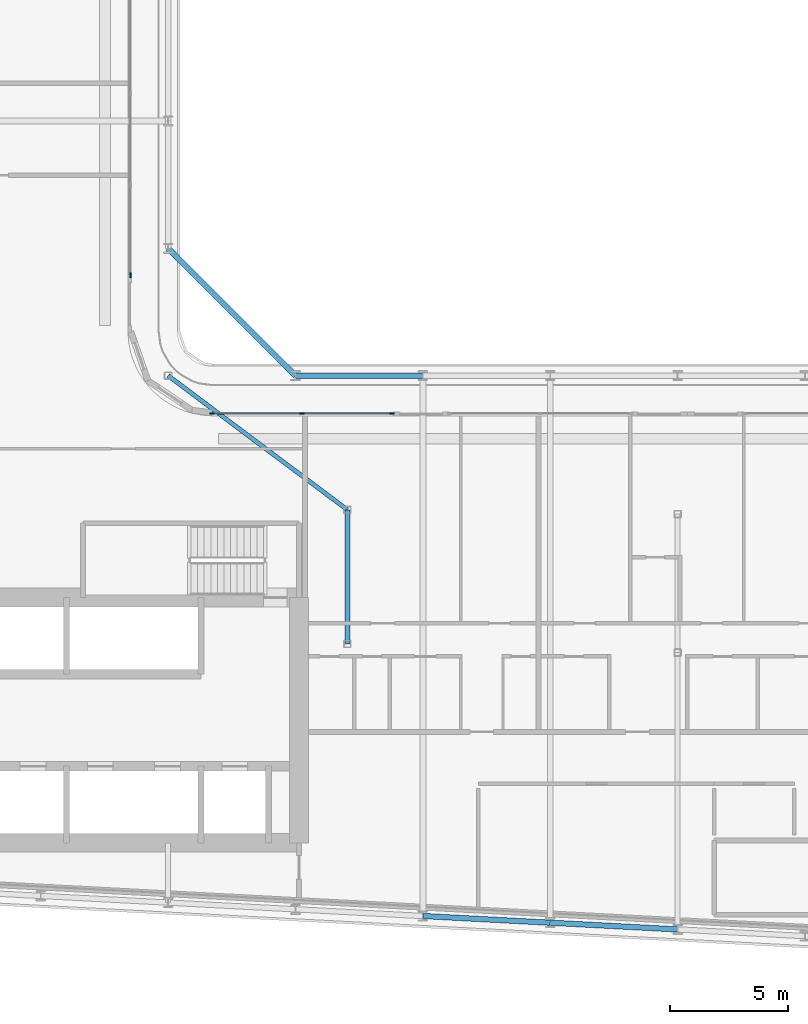
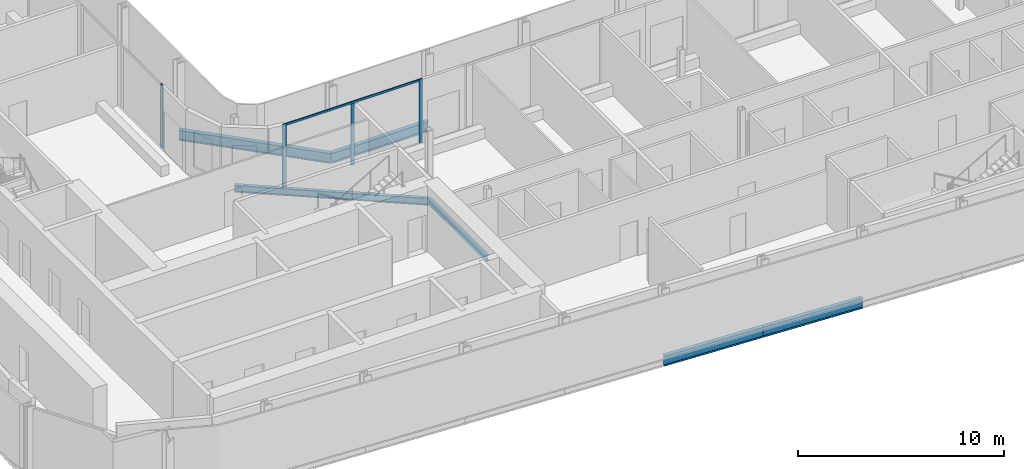
# One storey, part 6 of 29: 6 beams, 5 members, 2 elements without a shape of their own.
"""IFC4 building model written with IfcOpenShell, lengths in metres."""

from ifc_helpers import new_model, si_unit, direction, frame, origin, origin_2d, place, context, subcontext, project, spatial, rectangle, i_section, extrude, material, layer, layer_set, material_profile, profile_set, type_object, element, aggregate, save


model = new_model("IFC4")

# Units and contexts
model_context = context("Model", 3, precision=1e-05, world=origin(), true_north=direction((0.0, 1.0)))
body_context = subcontext(model_context, "Body", "Model", "MODEL_VIEW")
ifc_project = project(units=[si_unit("LENGTHUNIT", "METRE"), si_unit("AREAUNIT", "SQUARE_METRE"), si_unit("VOLUMEUNIT", "CUBIC_METRE"), si_unit("PLANEANGLEUNIT", "RADIAN"), si_unit("MASSUNIT", "GRAM", prefix="KILO")], contexts=[model_context])

# Site, building, storey
site_placement = place(None, origin())
site = spatial("IfcSite", under=ifc_project, at=site_placement, CompositionType="ELEMENT")
building_placement = place(site_placement, origin())
building = spatial("IfcBuilding", under=site, at=building_placement, Name="Kheshtan School and Residences Tower", CompositionType="ELEMENT")
storey_placement = place(building_placement, frame((0.0, 0.0, 179.89990234375)))
storey = spatial("IfcBuildingStorey", under=building, at=storey_placement, Name="L42", CompositionType="ELEMENT", Elevation=179.89990234375)

# Beams
ifc_material_1 = material(Name="Steel ASTM A992 Grade 50", Category="steel")
ifc_material_profile_1 = material_profile(ifc_material_1, i_section(OverallWidth=0.202880859375, OverallDepth=0.302978515625, WebThickness=0.007568359375, FlangeThickness=0.01318359375, FilletRadius=0.009033203125, at=origin_2d()), Name="W310x60")
ifc_profile_set_1 = profile_set([ifc_material_profile_1], Name="Steel ASTM A992 Grade 50")
beam_type_1 = type_object("IfcBeamType", Name="Beam FB1 W310x60 ASTM A992 Grade 50", PredefinedType="BEAM", material=ifc_profile_set_1)
beam_1_placement = place(storey_placement, frame((55.199951171875, 34.23193359375, -0.301513671875), z_axis=(0.0, 1.0, 0.0), x_axis=(-1.0, 0.0, 0.0)))
element("IfcBeam", 1, at=beam_1_placement, inside=storey, type_object=beam_type_1, Name="Floor beam IC", PredefinedType="BEAM", context=body_context, shape_type="SweptSolid", body=[
    extrude(i_section(OverallWidth=0.202880859375, OverallDepth=0.302978515625, WebThickness=0.007568359375, FlangeThickness=0.01318359375, FilletRadius=0.009033203125, at=origin_2d()), origin(), (0.0, 0.0, 1.0), 5.68408203125),
])
ifc_material_profile_2 = material_profile(ifc_material_1, i_section(OverallWidth=0.180908203125, OverallDepth=0.4169921875, WebThickness=0.010986328125, FlangeThickness=0.018310546875, FilletRadius=0.012451171875, at=origin_2d()), Name="W410x85")
ifc_profile_set_2 = profile_set([ifc_material_profile_2], Name="Steel ASTM A992 Grade 50")
beam_type_2 = type_object("IfcBeamType", Name="Beam FB3 W410x85 ASTM A992 Grade 50", PredefinedType="BEAM", material=ifc_profile_set_2)
beam_2_placement = place(storey_placement, frame((47.60009765625, 45.60009765625, -0.3583984375), z_axis=(0.800798828004, -0.598933416222, 0.0), x_axis=(0.598933416222, 0.800798828004, 0.0)))
element("IfcBeam", 2, at=beam_2_placement, inside=storey, type_object=beam_type_2, Name="Floor beam IC", PredefinedType="BEAM", context=body_context, shape_type="SweptSolid", body=[
    extrude(i_section(OverallWidth=0.180908203125, OverallDepth=0.4169921875, WebThickness=0.010986328125, FlangeThickness=0.018310546875, FilletRadius=0.012451171875, at=origin_2d()), origin(), (0.0, 0.0, 1.0), 9.490234375),
])
ifc_material_profile_3 = material_profile(ifc_material_1, i_section(OverallWidth=0.22802734375, OverallDepth=0.60302734375, WebThickness=0.010498046875, FlangeThickness=0.014892578125, FilletRadius=0.013427734375, at=origin_2d()), Name="W610x101")
ifc_profile_set_3 = profile_set([ifc_material_profile_3], Name="Steel ASTM A992 Grade 50")
beam_type_3 = type_object("IfcBeamType", Name="Beam SP2 W610x101 ASTM A992 Grade 50", PredefinedType="BEAM", material=ifc_profile_set_3)
beam_3_placement = place(storey_placement, frame((47.60009765625, 51.0, -0.451416015625), z_axis=(0.707106781187, -0.707106781187, 0.0), x_axis=(0.707106781187, 0.707106781187, 0.0)))
element("IfcBeam", 3, at=beam_3_placement, inside=storey, type_object=beam_type_3, Name="Spandrel beam C079-C061", PredefinedType="BEAM", context=body_context, shape_type="SweptSolid", body=[
    extrude(i_section(OverallWidth=0.22802734375, OverallDepth=0.60302734375, WebThickness=0.010498046875, FlangeThickness=0.014892578125, FilletRadius=0.013427734375, at=origin_2d()), origin(), (0.0, 0.0, 1.0), 7.63671875),
])
beam_4_placement = place(storey_placement, frame((53.0, 45.60009765625, -0.451416015625), z_axis=(1.0, 0.0, 0.0), x_axis=(0.0, 1.0, 0.0)))
element("IfcBeam", 4, at=beam_4_placement, inside=storey, type_object=beam_type_3, Name="Spandrel beam C061-C062", PredefinedType="BEAM", context=body_context, shape_type="SweptSolid", body=[
    extrude(i_section(OverallWidth=0.22802734375, OverallDepth=0.60302734375, WebThickness=0.010498046875, FlangeThickness=0.014892578125, FilletRadius=0.013427734375, at=origin_2d()), origin(), (0.0, 0.0, 1.0), 5.39990234375),
])
beam_5_placement = place(storey_placement, frame((69.199951171875, 22.126953125, -0.451416015625), z_axis=(-0.998620447272, 0.05250906864, 0.0), x_axis=(-0.05250906864, -0.998620447272, 0.0)))
element("IfcBeam", 5, at=beam_5_placement, inside=storey, type_object=beam_type_3, Name="Spandrel beam C014-C016", PredefinedType="BEAM", context=body_context, shape_type="SweptSolid", body=[
    extrude(i_section(OverallWidth=0.22802734375, OverallDepth=0.60302734375, WebThickness=0.010498046875, FlangeThickness=0.014892578125, FilletRadius=0.013427734375, at=origin_2d()), origin(), (0.0, 0.0, 1.0), 5.407470703125),
])
beam_6_placement = place(storey_placement, frame((63.800048828125, 22.410888671875, -0.451416015625), z_axis=(-0.998618203458, 0.052551724256, 0.0), x_axis=(-0.052551724256, -0.998618203458, 0.0)))
element("IfcBeam", 6, at=beam_6_placement, inside=storey, type_object=beam_type_3, Name="Spandrel beam C016-C018", PredefinedType="BEAM", context=body_context, shape_type="SweptSolid", body=[
    extrude(i_section(OverallWidth=0.22802734375, OverallDepth=0.60302734375, WebThickness=0.010498046875, FlangeThickness=0.014892578125, FilletRadius=0.013427734375, at=origin_2d()), origin(), (0.0, 0.0, 1.0), 5.40771484375),
])

# Curtain wall, member
ifc_material_2 = material(Name="Clear low-e glass in thermally broken aluminium frame", Category="aluminium")
ifc_layer = layer(ifc_material_2, 0.199951171875)
ifc_layer_set = layer_set([ifc_layer], Name="Curtain wall CW-L")
curtain_wall_type = type_object("IfcCurtainWallType", Name="Curtain wall CW-L", PredefinedType="NOTDEFINED", material=ifc_layer_set)
curtain_wall_1_placement = place(storey_placement, origin())
curtain_wall_1 = element("IfcCurtainWall", 7, at=curtain_wall_1_placement, inside=storey, type_object=curtain_wall_type, Name="Curtain wall CWL8", PredefinedType="NOTDEFINED")
ifc_material_3 = material(Name="Thermally broken aluminium, dark bronze anodised", Category="aluminium")
ifc_material_profile_4 = material_profile(ifc_material_3, rectangle(XDim=0.06005859375, YDim=0.199951171875, at=origin_2d()), Name="CW-L mullion 60x200")
ifc_profile_set_4 = profile_set([ifc_material_profile_4], Name="Thermally broken aluminium, dark bronze anodised")
member_type_1 = type_object("IfcMemberType", Name="CW-L mullion 60x200", PredefinedType="MULLION", material=ifc_profile_set_4)
member_1_placement = place(storey_placement, frame((46.0, 49.860107421875, 0.0), z_axis=(0.0, 0.0, 1.0), x_axis=(1.0, 0.0, 0.0)))
member_1 = element("IfcMember", 8, at=member_1_placement, type_object=member_type_1, Name="CWL8 mullion 3", PredefinedType="MULLION", context=body_context, shape_type="SweptSolid", body=[
    extrude(rectangle(XDim=0.06005859375, YDim=0.199951171875, at=origin_2d()), origin(), (0.0, 0.0, 1.0), 3.75),
])
aggregate(curtain_wall_1, [member_1])

# Curtain wall, members
curtain_wall_2_placement = place(storey_placement, origin())
curtain_wall_2 = element("IfcCurtainWall", 9, at=curtain_wall_2_placement, inside=storey, type_object=curtain_wall_type, Name="Curtain wall CWL12j", PredefinedType="NOTDEFINED")
member_2_placement = place(storey_placement, frame((49.4599609375, 44.0, 0.0), z_axis=(0.0, 0.0, 1.0), x_axis=(0.0, 1.0, 0.0)))
member_2 = element("IfcMember", 10, at=member_2_placement, type_object=member_type_1, Name="CWL12j mullion 1", PredefinedType="MULLION", context=body_context, shape_type="SweptSolid", body=[
    extrude(rectangle(XDim=0.06005859375, YDim=0.199951171875, at=origin_2d()), origin(), (0.0, 0.0, 1.0), 3.75),
])
member_3_placement = place(storey_placement, frame((53.277099609375, 44.0, 0.0), z_axis=(0.0, 0.0, 1.0), x_axis=(0.0, 1.0, 0.0)))
member_3 = element("IfcMember", 11, at=member_3_placement, type_object=member_type_1, Name="CWL12j mullion 2", PredefinedType="MULLION", context=body_context, shape_type="SweptSolid", body=[
    extrude(rectangle(XDim=0.06005859375, YDim=0.199951171875, at=origin_2d()), origin(), (0.0, 0.0, 1.0), 3.630126953125),
])
member_4_placement = place(storey_placement, frame((57.093994140625, 44.0, 0.0), z_axis=(0.0, 0.0, 1.0), x_axis=(0.0, 1.0, 0.0)))
member_4 = element("IfcMember", 12, at=member_4_placement, type_object=member_type_1, Name="CWL12j mullion 3", PredefinedType="MULLION", context=body_context, shape_type="SweptSolid", body=[
    extrude(rectangle(XDim=0.06005859375, YDim=0.199951171875, at=origin_2d()), origin(), (0.0, 0.0, 1.0), 3.75),
])
ifc_material_profile_5 = material_profile(ifc_material_3, rectangle(XDim=0.06005859375, YDim=0.1201171875, at=origin_2d()), Name="CW-L transom 60x120")
ifc_profile_set_5 = profile_set([ifc_material_profile_5], Name="Thermally broken aluminium, dark bronze anodised")
member_type_2 = type_object("IfcMemberType", Name="CW-L transom 60x120", PredefinedType="USERDEFINED", material=ifc_profile_set_5)
member_5_placement = place(storey_placement, frame((49.489990234375, 44.0, 3.690185546875), z_axis=(1.0, 0.0, 0.0), x_axis=(0.0, 1.0, 0.0)))
member_5 = element("IfcMember", 13, at=member_5_placement, type_object=member_type_2, Name="CWL12j transom 1", ObjectType="TRANSOM", PredefinedType="USERDEFINED", context=body_context, shape_type="SweptSolid", body=[
    extrude(rectangle(XDim=0.06005859375, YDim=0.1201171875, at=origin_2d()), origin(), (0.0, 0.0, 1.0), 7.573974609375),
])
aggregate(curtain_wall_2, [member_2, member_3, member_4, member_5])

save(model, "model.ifc")
